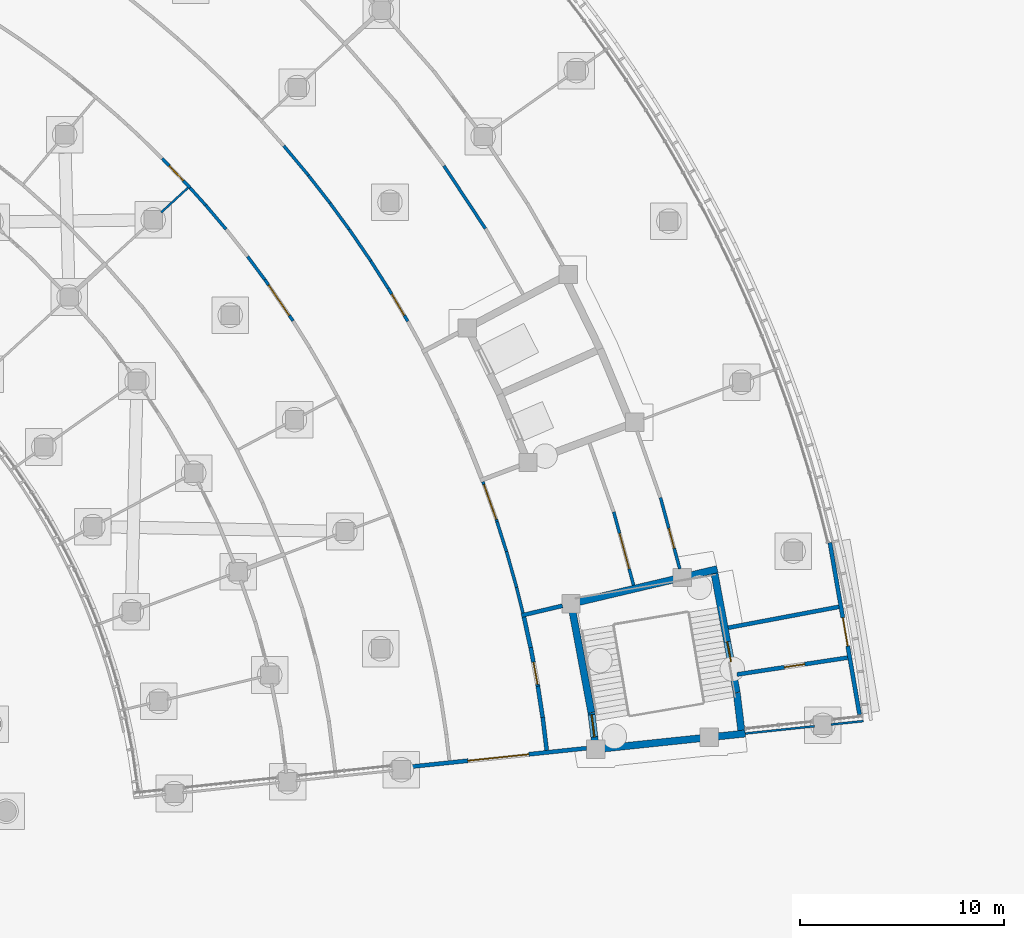
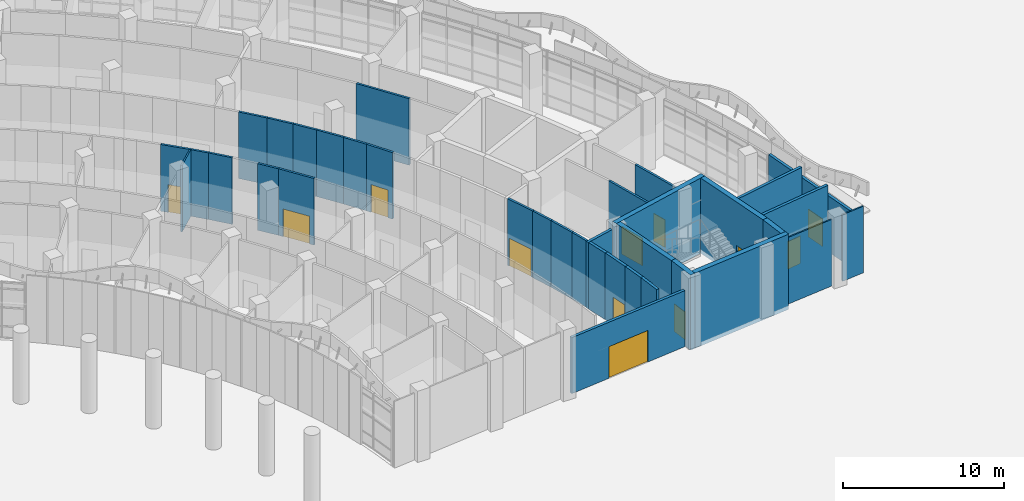
# One storey, part 77 of 146: 36 walls, 12 doors, 12 openings.
"""IFC4 building model written with IfcOpenShell, lengths in metres."""

from ifc_helpers import new_model, si_unit, direction, frame, frame_2d, origin, place, context, subcontext, project, spatial, rectangle, extrude, material, layer, layer_set, type_object, element, fill, save


model = new_model("IFC4")

# Units and contexts
model_context = context("Model", 3, precision=1e-05, world=origin(), true_north=direction((0.0, 1.0)))
body_context = subcontext(model_context, "Body", "Model", "MODEL_VIEW")
ifc_project = project(units=[si_unit("LENGTHUNIT", "METRE"), si_unit("AREAUNIT", "SQUARE_METRE"), si_unit("VOLUMEUNIT", "CUBIC_METRE"), si_unit("PLANEANGLEUNIT", "RADIAN"), si_unit("MASSUNIT", "GRAM", prefix="KILO")], contexts=[model_context])

# Site, building, storey
site_placement = place(None, origin())
site = spatial("IfcSite", under=ifc_project, at=site_placement, CompositionType="ELEMENT")
building_placement = place(site_placement, origin())
building = spatial("IfcBuilding", under=site, at=building_placement, Name="Bougainvillea Quay General Hospital", CompositionType="ELEMENT")
storey_placement = place(building_placement, origin())
storey = spatial("IfcBuildingStorey", under=building, at=storey_placement, Name="L00", CompositionType="ELEMENT", Elevation=0.0)

# Wall, opening, door
ifc_material_1 = material(Name="Insulated aluminium panel cladding, anodised silver", Category="aluminium")
ifc_layer_1 = layer(ifc_material_1, 0.199951171875)
ifc_layer_set_1 = layer_set([ifc_layer_1], Name="Insulated aluminium panel cladding, anodised silver")
wall_type_1 = type_object("IfcWallType", Name="Entrance portal wall 200", PredefinedType="STANDARD", material=ifc_layer_set_1)
wall_1_placement = place(storey_placement, frame((156.577880859375, 27.080078125, 0.0), z_axis=(0.0, 0.0, 1.0), x_axis=(0.994515443337, 0.10458983203, 0.0)))
wall_1 = element("IfcWall", 1, at=wall_1_placement, inside=storey, type_object=wall_type_1, Name="External wall cw/V6/L00/l2g2s0/portal3/00a", PredefinedType="STANDARD", context=body_context, shape_type="SweptSolid", body=[
    extrude(rectangle(XDim=8.69970703125, YDim=0.199951171875, at=frame_2d((4.349853515625, 0.0))), origin(), (0.0, 0.0, 1.0), 4.25),
])
opening_1_placement = place(wall_1_placement, frame((2.85009765625, 0.0, 0.0)))
opening_1 = element("IfcOpeningElement", 2, at=opening_1_placement, cuts=wall_1, Name="Opening L00.359", PredefinedType="OPENING", context=body_context, shape_type="SweptSolid", body=[
    extrude(rectangle(XDim=3.0, YDim=2.39990234375, at=frame_2d((1.5, 1.199951171875))), frame((0.0, 0.10986328125, 0.0), z_axis=(0.0, -1.0, 0.0), x_axis=(1.0, 0.0, 0.0)), (0.0, 0.0, 1.0), 0.219970703125),
])
ifc_material_2 = material(Name="Aluminium and toughened glass sliding door set, anodised", Category="aluminium")
door_type_1 = type_object("IfcDoorType", Name="Automatic sliding entrance door 3000x2400", OperationType="SLIDING_TO_LEFT", PredefinedType="DOOR", material=ifc_material_2)
door_1_placement = place(opening_1_placement, frame((3.0, 0.0, 0.0), z_axis=(0.0, 0.0, 1.0), x_axis=(-1.0, 0.0, 0.0)))
door_1 = element("IfcDoor", 3, at=door_1_placement, inside=storey, type_object=door_type_1, Name="Clinics entrance", OperationType="SINGLE_SWING_LEFT", OverallHeight=2.39990234375, OverallWidth=3.0, PredefinedType="DOOR", context=body_context, shape_type="SweptSolid", body=[
    extrude(rectangle(XDim=3.0, YDim=2.39990234375, at=frame_2d((1.5, 1.199951171875))), frame((0.0, 0.02490234375, 0.0), z_axis=(0.0, -1.0, 0.0), x_axis=(1.0, 0.0, 0.0)), (0.0, 0.0, 1.0), 0.050048828125),
])
fill(opening_1, door_1)

wall_2_placement = place(storey_placement, frame((177.174072265625, 38.08203125, 0.0), z_axis=(0.0, 0.0, 1.0), x_axis=(0.17017618712, -0.985413651893, 0.0)))
wall_2 = element("IfcWall", 4, at=wall_2_placement, inside=storey, type_object=wall_type_1, Name="External wall wall/V6/L00/p2g3b7/00a", PredefinedType="STANDARD", context=body_context, shape_type="SweptSolid", body=[
    extrude(rectangle(XDim=8.56201171875, YDim=0.199951171875, at=frame_2d((4.281005859375, 0.0))), origin(), (0.0, 0.0, 1.0), 4.25),
])
opening_2_placement = place(wall_2_placement, frame((3.7490234375, 0.0, 0.0)))
opening_2 = element("IfcOpeningElement", 5, at=opening_2_placement, cuts=wall_2, Name="Opening L00.350", PredefinedType="OPENING", context=body_context, shape_type="SweptSolid", body=[
    extrude(rectangle(XDim=1.39990234375, YDim=2.10009765625, at=frame_2d((0.699951171875, 1.050048828125))), frame((0.0, 0.10986328125, 0.0), z_axis=(0.0, -1.0, 0.0), x_axis=(1.0, 0.0, 0.0)), (0.0, 0.0, 1.0), 0.219970703125),
])
ifc_material_3 = material(Name="Steel door leaf, painted, with vision panel", Category="steel")
door_type_2 = type_object("IfcDoorType", Name="Stair discharge door 1400x2100", OperationType="SINGLE_SWING_LEFT", PredefinedType="DOOR", material=ifc_material_3)
door_2_placement = place(opening_2_placement, origin())
door_2 = element("IfcDoor", 6, at=door_2_placement, inside=storey, type_object=door_type_2, Name="Stair discharge door ST-E2", OperationType="SINGLE_SWING_LEFT", OverallHeight=2.10009765625, OverallWidth=1.39990234375, PredefinedType="DOOR", context=body_context, shape_type="SweptSolid", body=[
    extrude(rectangle(XDim=1.39990234375, YDim=2.10009765625, at=frame_2d((0.699951171875, 1.050048828125))), frame((0.0, 0.02490234375, 0.0), z_axis=(0.0, -1.0, 0.0), x_axis=(1.0, 0.0, 0.0)), (0.0, 0.0, 1.0), 0.050048828125),
])
fill(opening_2, door_2)

# Walls
ifc_material_4 = material(Name="Gypsum board partition on steel studs", Category="steel")
ifc_layer_2 = layer(ifc_material_4, 0.10009765625)
ifc_layer_set_2 = layer_set([ifc_layer_2], Name="Gypsum board partition on steel studs")
wall_type_2 = type_object("IfcWallType", Name="Partition 100 Gypsum board partition EI 30", PredefinedType="PARTITIONING", material=ifc_layer_set_2)
wall_3_placement = place(storey_placement, frame((173.02294921875, 28.71240234375, 0.0), z_axis=(0.0, 0.0, 1.0), x_axis=(0.994508975148, 0.104651317957, 0.0)))
element("IfcWall", 7, at=wall_3_placement, inside=storey, type_object=wall_type_2, Name="Partition 100 mm EI 30", PredefinedType="PARTITIONING", context=body_context, shape_type="SweptSolid", body=[
    extrude(rectangle(XDim=3.417724609375, YDim=0.10009765625, at=frame_2d((1.708984375, 0.0))), origin(), (0.0, 0.0, 1.0), 5.050048828125),
])
wall_4_placement = place(storey_placement, frame((177.232177734375, 29.1552734375, 0.0), z_axis=(0.0, 0.0, 1.0), x_axis=(0.994502932517, 0.104708725591, 0.0)))
element("IfcWall", 8, at=wall_4_placement, inside=storey, type_object=wall_type_2, Name="Partition 100 mm EI 30", PredefinedType="PARTITIONING", context=body_context, shape_type="SweptSolid", body=[
    extrude(rectangle(XDim=1.592529296875, YDim=0.10009765625, at=frame_2d((0.79638671875, 0.0))), origin(), (0.0, 0.0, 1.0), 5.050048828125),
])
wall_5_placement = place(storey_placement, frame((144.3603515625, 54.291015625, 0.0), z_axis=(0.0, 0.0, 1.0), x_axis=(0.736578706187, 0.676351838611, 0.0)))
element("IfcWall", 9, at=wall_5_placement, inside=storey, type_object=wall_type_2, Name="Partition 100 mm EI 30", PredefinedType="PARTITIONING", context=body_context, shape_type="SweptSolid", body=[
    extrude(rectangle(XDim=1.779541015625, YDim=0.10009765625, at=frame_2d((0.8896484375, 0.0))), origin(), (0.0, 0.0, 1.0), 5.050048828125),
])

# Wall, opening, door
ifc_material_5 = material(Name="Gypsum board partition on steel studs, insulated", Category="steel")
ifc_layer_3 = layer(ifc_material_5, 0.14990234375)
ifc_layer_set_3 = layer_set([ifc_layer_3], Name="Gypsum board partition on steel studs, insulated")
wall_type_3 = type_object("IfcWallType", Name="Partition 150 Gypsum board partition EI 30", PredefinedType="PARTITIONING", material=ifc_layer_set_3)
wall_6_placement = place(storey_placement, frame((168.8623046875, 40.287353515625, 0.0), z_axis=(0.0, 0.0, 1.0), x_axis=(0.261268938462, -0.965266047157, 0.0)))
wall_6 = element("IfcWall", 10, at=wall_6_placement, inside=storey, type_object=wall_type_3, Name="Partition 150 mm EI 30", PredefinedType="PARTITIONING", context=body_context, shape_type="SweptSolid", body=[
    extrude(rectangle(XDim=3.621826171875, YDim=0.14990234375, at=frame_2d((1.81103515625, 0.0))), origin(), (0.0, 0.0, 1.0), 5.050048828125),
])
opening_3_placement = place(wall_6_placement, frame((1.565673828125, 0.0, 0.0)))
opening_3 = element("IfcOpeningElement", 11, at=opening_3_placement, cuts=wall_6, Name="Opening L00.275", PredefinedType="OPENING", context=body_context, shape_type="SweptSolid", body=[
    extrude(rectangle(XDim=1.0, YDim=2.10009765625, at=frame_2d((0.5, 1.050048828125))), frame((0.0, 0.0849609375, 0.0), z_axis=(0.0, -1.0, 0.0), x_axis=(1.0, 0.0, 0.0)), (0.0, 0.0, 1.0), 0.169921875),
])
ifc_material_6 = material(Name="Solid-core timber door leaf in steel frame", Category="steel")
door_type_3 = type_object("IfcDoorType", Name="Single leaf door 1000x2100 FD30S", OperationType="NOTDEFINED", PredefinedType="DOOR", material=ifc_material_6)
door_3_placement = place(opening_3_placement, origin())
door_3 = element("IfcDoor", 12, at=door_3_placement, inside=storey, type_object=door_type_3, Name="DT15 L00.275", OperationType="SINGLE_SWING_RIGHT", OverallHeight=2.10009765625, OverallWidth=1.0, PredefinedType="DOOR", context=body_context, shape_type="SweptSolid", body=[
    extrude(rectangle(XDim=1.0, YDim=2.10009765625, at=frame_2d((0.5, 1.050048828125))), frame((0.0, 0.02490234375, 0.0), z_axis=(0.0, -1.0, 0.0), x_axis=(1.0, 0.0, 0.0)), (0.0, 0.0, 1.0), 0.050048828125),
])
fill(opening_3, door_3)

wall_7_placement = place(storey_placement, frame((166.5673828125, 39.58642578125, 0.0), z_axis=(0.0, 0.0, 1.0), x_axis=(0.261225938755, -0.965277684877, 0.0)))
wall_7 = element("IfcWall", 13, at=wall_7_placement, inside=storey, type_object=wall_type_3, Name="Partition 150 mm EI 30", PredefinedType="PARTITIONING", context=body_context, shape_type="SweptSolid", body=[
    extrude(rectangle(XDim=3.725341796875, YDim=0.14990234375, at=frame_2d((1.86279296875, 0.0))), origin(), (0.0, 0.0, 1.0), 5.050048828125),
])
opening_4_placement = place(wall_7_placement, frame((1.089111328125, 0.0, 0.0)))
opening_4 = element("IfcOpeningElement", 14, at=opening_4_placement, cuts=wall_7, Name="Opening L00.225", PredefinedType="OPENING", context=body_context, shape_type="SweptSolid", body=[
    extrude(rectangle(XDim=1.800048828125, YDim=2.10009765625, at=frame_2d((0.89990234375, 1.050048828125))), frame((0.0, 0.0849609375, 0.0), z_axis=(0.0, -1.0, 0.0), x_axis=(1.0, 0.0, 0.0)), (0.0, 0.0, 1.0), 0.169921875),
])
ifc_material_7 = material(Name="Solid-core timber door leaves in steel frame", Category="steel")
door_type_4 = type_object("IfcDoorType", Name="Double leaf door 1800x2100", OperationType="DOUBLE_DOOR_SINGLE_SWING", PredefinedType="DOOR", material=ifc_material_7)
door_4_placement = place(opening_4_placement, origin())
door_4 = element("IfcDoor", 15, at=door_4_placement, inside=storey, type_object=door_type_4, Name="DT08 L00.225", OperationType="DOUBLE_DOOR_SINGLE_SWING", OverallHeight=2.10009765625, OverallWidth=1.800048828125, PredefinedType="DOOR", context=body_context, shape_type="SweptSolid", body=[
    extrude(rectangle(XDim=1.800048828125, YDim=2.10009765625, at=frame_2d((0.89990234375, 1.050048828125))), frame((0.0, 0.02490234375, 0.0), z_axis=(0.0, -1.0, 0.0), x_axis=(1.0, 0.0, 0.0)), (0.0, 0.0, 1.0), 0.050048828125),
])
fill(opening_4, door_4)

# Wall
wall_8_placement = place(storey_placement, frame((158.23583984375, 56.5712890625, 0.0), z_axis=(0.0, 0.0, 1.0), x_axis=(0.550996276136, -0.834507701393, 0.0)))
element("IfcWall", 16, at=wall_8_placement, inside=storey, type_object=wall_type_3, Name="Partition 150 mm EI 30", PredefinedType="PARTITIONING", context=body_context, shape_type="SweptSolid", body=[
    extrude(rectangle(XDim=3.6865234375, YDim=0.14990234375, at=frame_2d((1.84326171875, 0.0))), origin(), (0.0, 0.0, 1.0), 5.050048828125),
])

# Wall, opening, door
wall_9_placement = place(storey_placement, frame((149.442626953125, 50.989990234375, 0.0), z_axis=(0.0, 0.0, 1.0), x_axis=(0.564305795339, -0.825565847977, 0.0)))
wall_9 = element("IfcWall", 17, at=wall_9_placement, inside=storey, type_object=wall_type_3, Name="Partition 150 mm EI 30", PredefinedType="PARTITIONING", context=body_context, shape_type="SweptSolid", body=[
    extrude(rectangle(XDim=2.453857421875, YDim=0.14990234375, at=frame_2d((1.22705078125, 0.0))), origin(), (0.0, 0.0, 1.0), 5.050048828125),
])
opening_5_placement = place(wall_9_placement, frame((0.326904296875, 0.0, 0.0)))
opening_5 = element("IfcOpeningElement", 18, at=opening_5_placement, cuts=wall_9, Name="Opening L00.241", PredefinedType="OPENING", context=body_context, shape_type="SweptSolid", body=[
    extrude(rectangle(XDim=1.800048828125, YDim=2.10009765625, at=frame_2d((0.89990234375, 1.050048828125))), frame((0.0, 0.0849609375, 0.0), z_axis=(0.0, -1.0, 0.0), x_axis=(1.0, 0.0, 0.0)), (0.0, 0.0, 1.0), 0.169921875),
])
door_5_placement = place(opening_5_placement, origin())
door_5 = element("IfcDoor", 19, at=door_5_placement, inside=storey, type_object=door_type_4, Name="DT08 L00.241", OperationType="DOUBLE_DOOR_SINGLE_SWING", OverallHeight=2.10009765625, OverallWidth=1.800048828125, PredefinedType="DOOR", context=body_context, shape_type="SweptSolid", body=[
    extrude(rectangle(XDim=1.800048828125, YDim=2.10009765625, at=frame_2d((0.89990234375, 1.050048828125))), frame((0.0, 0.02490234375, 0.0), z_axis=(0.0, -1.0, 0.0), x_axis=(1.0, 0.0, 0.0)), (0.0, 0.0, 1.0), 0.050048828125),
])
fill(opening_5, door_5)

wall_10_placement = place(storey_placement, frame((160.146240234375, 41.068115234375, 0.0), z_axis=(0.0, 0.0, 1.0), x_axis=(0.334170983673, -0.942512468708, 0.0)))
wall_10 = element("IfcWall", 20, at=wall_10_placement, inside=storey, type_object=wall_type_3, Name="Partition 150 mm EI 30", PredefinedType="PARTITIONING", context=body_context, shape_type="SweptSolid", body=[
    extrude(rectangle(XDim=2.079345703125, YDim=0.14990234375, at=frame_2d((1.03955078125, 0.0))), origin(), (0.0, 0.0, 1.0), 5.050048828125),
])
opening_6_placement = place(wall_10_placement, frame((0.15087890625, 0.0, 0.0)))
opening_6 = element("IfcOpeningElement", 21, at=opening_6_placement, cuts=wall_10, Name="Opening L00.239", PredefinedType="OPENING", context=body_context, shape_type="SweptSolid", body=[
    extrude(rectangle(XDim=1.800048828125, YDim=2.10009765625, at=frame_2d((0.89990234375, 1.050048828125))), frame((0.0, 0.0849609375, 0.0), z_axis=(0.0, -1.0, 0.0), x_axis=(1.0, 0.0, 0.0)), (0.0, 0.0, 1.0), 0.169921875),
])
door_6_placement = place(opening_6_placement, frame((1.800048828125, 0.0, 0.0), z_axis=(0.0, 0.0, 1.0), x_axis=(-1.0, 0.0, 0.0)))
door_6 = element("IfcDoor", 22, at=door_6_placement, inside=storey, type_object=door_type_4, Name="DT08 L00.239", OperationType="DOUBLE_DOOR_SINGLE_SWING", OverallHeight=2.10009765625, OverallWidth=1.800048828125, PredefinedType="DOOR", context=body_context, shape_type="SweptSolid", body=[
    extrude(rectangle(XDim=1.800048828125, YDim=2.10009765625, at=frame_2d((0.89990234375, 1.050048828125))), frame((0.0, 0.02490234375, 0.0), z_axis=(0.0, -1.0, 0.0), x_axis=(1.0, 0.0, 0.0)), (0.0, 0.0, 1.0), 0.050048828125),
])
fill(opening_6, door_6)

wall_11_placement = place(storey_placement, frame((144.408203125, 56.933349609375, 0.0), z_axis=(0.0, 0.0, 1.0), x_axis=(0.689023586461, -0.724738916646, 0.0)))
wall_11 = element("IfcWall", 23, at=wall_11_placement, inside=storey, type_object=wall_type_3, Name="Partition 150 mm EI 30", PredefinedType="PARTITIONING", context=body_context, shape_type="SweptSolid", body=[
    extrude(rectangle(XDim=1.9892578125, YDim=0.14990234375, at=frame_2d((0.99462890625, 0.0))), origin(), (0.0, 0.0, 1.0), 5.050048828125),
])
opening_7_placement = place(wall_11_placement, frame((0.494384765625, 0.0, 0.0)))
opening_7 = element("IfcOpeningElement", 24, at=opening_7_placement, cuts=wall_11, Name="Opening L00.276", PredefinedType="OPENING", context=body_context, shape_type="SweptSolid", body=[
    extrude(rectangle(XDim=1.0, YDim=2.10009765625, at=frame_2d((0.5, 1.050048828125))), frame((0.0, 0.0849609375, 0.0), z_axis=(0.0, -1.0, 0.0), x_axis=(1.0, 0.0, 0.0)), (0.0, 0.0, 1.0), 0.169921875),
])
door_7_placement = place(opening_7_placement, frame((1.0, 0.0, 0.0), z_axis=(0.0, 0.0, 1.0), x_axis=(-1.0, 0.0, 0.0)))
door_7 = element("IfcDoor", 25, at=door_7_placement, inside=storey, type_object=door_type_3, Name="DT15 L00.276", OperationType="SINGLE_SWING_LEFT", OverallHeight=2.10009765625, OverallWidth=1.0, PredefinedType="DOOR", context=body_context, shape_type="SweptSolid", body=[
    extrude(rectangle(XDim=1.0, YDim=2.10009765625, at=frame_2d((0.5, 1.050048828125))), frame((0.0, 0.02490234375, 0.0), z_axis=(0.0, -1.0, 0.0), x_axis=(1.0, 0.0, 0.0)), (0.0, 0.0, 1.0), 0.050048828125),
])
fill(opening_7, door_7)

wall_12_placement = place(storey_placement, frame((155.497802734375, 50.56640625, 0.0), z_axis=(0.0, 0.0, 1.0), x_axis=(0.510320389621, -0.859984360287, 0.0)))
wall_12 = element("IfcWall", 26, at=wall_12_placement, inside=storey, type_object=wall_type_3, Name="Partition 150 mm EI 30", PredefinedType="PARTITIONING", context=body_context, shape_type="SweptSolid", body=[
    extrude(rectangle(XDim=1.885986328125, YDim=0.14990234375, at=frame_2d((0.94287109375, 0.0))), origin(), (0.0, 0.0, 1.0), 5.050048828125),
])
opening_8_placement = place(wall_12_placement, frame((0.343017578125, 0.0, 0.0)))
opening_8 = element("IfcOpeningElement", 27, at=opening_8_placement, cuts=wall_12, Name="Opening L00.238", PredefinedType="OPENING", context=body_context, shape_type="SweptSolid", body=[
    extrude(rectangle(XDim=1.199951171875, YDim=2.10009765625, at=frame_2d((0.60009765625, 1.050048828125))), frame((0.0, 0.0849609375, 0.0), z_axis=(0.0, -1.0, 0.0), x_axis=(1.0, 0.0, 0.0)), (0.0, 0.0, 1.0), 0.169921875),
])
door_type_5 = type_object("IfcDoorType", Name="Single leaf door 1200x2100", OperationType="NOTDEFINED", PredefinedType="DOOR", material=ifc_material_6)
door_8_placement = place(opening_8_placement, frame((1.199951171875, 0.0, 0.0), z_axis=(0.0, 0.0, 1.0), x_axis=(-1.0, 0.0, 0.0)))
door_8 = element("IfcDoor", 28, at=door_8_placement, inside=storey, type_object=door_type_5, Name="DT13 L00.238", OperationType="SINGLE_SWING_RIGHT", OverallHeight=2.10009765625, OverallWidth=1.199951171875, PredefinedType="DOOR", context=body_context, shape_type="SweptSolid", body=[
    extrude(rectangle(XDim=1.199951171875, YDim=2.10009765625, at=frame_2d((0.60009765625, 1.050048828125))), frame((0.0, 0.02490234375, 0.0), z_axis=(0.0, -1.0, 0.0), x_axis=(1.0, 0.0, 0.0)), (0.0, 0.0, 1.0), 0.050048828125),
])
fill(opening_8, door_8)

# Walls
wall_13_placement = place(storey_placement, frame((150.3720703125, 57.5576171875, 0.0), z_axis=(0.0, 0.0, 1.0), x_axis=(0.640540861144, -0.767924088178, 0.0)))
element("IfcWall", 29, at=wall_13_placement, inside=storey, type_object=wall_type_3, Name="Partition 150 mm EI 30", PredefinedType="PARTITIONING", context=body_context, shape_type="SweptSolid", body=[
    extrude(rectangle(XDim=1.885986328125, YDim=0.14990234375, at=frame_2d((0.94287109375, 0.0))), origin(), (0.0, 0.0, 1.0), 5.050048828125),
])
wall_14_placement = place(storey_placement, frame((151.57666015625, 56.109619140625, 0.0), z_axis=(0.0, 0.0, 1.0), x_axis=(0.615485903982, -0.788147893481, 0.0)))
element("IfcWall", 30, at=wall_14_placement, inside=storey, type_object=wall_type_3, Name="Partition 150 mm EI 30", PredefinedType="PARTITIONING", context=body_context, shape_type="SweptSolid", body=[
    extrude(rectangle(XDim=1.73779296875, YDim=0.14990234375, at=frame_2d((0.868896484375, 0.0))), origin(), (0.0, 0.0, 1.0), 5.050048828125),
])
wall_15_placement = place(storey_placement, frame((153.581787109375, 53.4599609375, 0.0), z_axis=(0.0, 0.0, 1.0), x_axis=(0.564047793024, -0.825742143277, 0.0)))
element("IfcWall", 31, at=wall_15_placement, inside=storey, type_object=wall_type_3, Name="Partition 150 mm EI 30", PredefinedType="PARTITIONING", context=body_context, shape_type="SweptSolid", body=[
    extrude(rectangle(XDim=1.885498046875, YDim=0.14990234375, at=frame_2d((0.94287109375, 0.0))), origin(), (0.0, 0.0, 1.0), 5.050048828125),
])
for number, where, z_axis, x_axis, name in (
    (32, (152.642822265625, 54.740234375, 0.0), (0.0, 0.0, 1.0), (0.590151339463, -0.807292633764, 0.0), "Partition 150 mm EI 30"),
    (33, (154.64208984375, 51.90380859375, 0.0), (0.0, 0.0, 1.0), (0.537610565613, -0.843193263577, 0.0), "Partition 150 mm EI 30"),
):
    element("IfcWall", number, at=place(storey_placement, frame(where, z_axis=z_axis, x_axis=x_axis)), inside=storey, type_object=wall_type_3, Name=name, PredefinedType="PARTITIONING", context=body_context, shape_type="SweptSolid", body=[
        extrude(rectangle(XDim=1.58984375, YDim=0.14990234375, at=frame_2d((0.794921875, 0.0))), origin(), (0.0, 0.0, 1.0), 5.050048828125),
    ])
wall_16_placement = place(storey_placement, frame((161.302490234375, 37.647216796875, 0.0), z_axis=(0.0, 0.0, 1.0), x_axis=(0.271536076628, -0.962428261789, 0.0)))
element("IfcWall", 34, at=wall_16_placement, inside=storey, type_object=wall_type_3, Name="Partition 150 mm EI 30", PredefinedType="PARTITIONING", context=body_context, shape_type="SweptSolid", body=[
    extrude(rectangle(XDim=1.833251953125, YDim=0.14990234375, at=frame_2d((0.91650390625, 0.0))), origin(), (0.0, 0.0, 1.0), 5.050048828125),
])
wall_17_placement = place(storey_placement, frame((160.837890625, 39.10986328125, 0.0), z_axis=(0.0, 0.0, 1.0), x_axis=(0.301321411033, -0.953522630698, 0.0)))
element("IfcWall", 35, at=wall_17_placement, inside=storey, type_object=wall_type_3, Name="Partition 150 mm EI 30", PredefinedType="PARTITIONING", context=body_context, shape_type="SweptSolid", body=[
    extrude(rectangle(XDim=1.537109375, YDim=0.14990234375, at=frame_2d((0.7685546875, 0.0))), origin(), (0.0, 0.0, 1.0), 5.050048828125),
])
wall_18_placement = place(storey_placement, frame((148.599365234375, 52.12158203125, 0.0), z_axis=(0.0, 0.0, 1.0), x_axis=(0.595875663086, -0.803076705017, 0.0)))
element("IfcWall", 36, at=wall_18_placement, inside=storey, type_object=wall_type_3, Name="Partition 150 mm EI 30", PredefinedType="PARTITIONING", context=body_context, shape_type="SweptSolid", body=[
    extrude(rectangle(XDim=1.413818359375, YDim=0.14990234375, at=frame_2d((0.70703125, 0.0))), origin(), (0.0, 0.0, 1.0), 5.050048828125),
])
wall_19_placement = place(storey_placement, frame((146.53369140625, 54.6513671875, 0.0), z_axis=(0.0, 0.0, 1.0), x_axis=(0.645184874707, -0.764026490018, 0.0)))
element("IfcWall", 37, at=wall_19_placement, inside=storey, type_object=wall_type_3, Name="Partition 150 mm EI 30", PredefinedType="PARTITIONING", context=body_context, shape_type="SweptSolid", body=[
    extrude(rectangle(XDim=1.561279296875, YDim=0.14990234375, at=frame_2d((0.78076171875, 0.0))), origin(), (0.0, 0.0, 1.0), 5.050048828125),
])
wall_20_placement = place(storey_placement, frame((161.797607421875, 35.88427734375, 0.0), z_axis=(0.0, 0.0, 1.0), x_axis=(0.243023571224, -0.970020383203, 0.0)))
element("IfcWall", 38, at=wall_20_placement, inside=storey, type_object=wall_type_3, Name="Partition 150 mm EI 30", PredefinedType="PARTITIONING", context=body_context, shape_type="SweptSolid", body=[
    extrude(rectangle(XDim=1.294921875, YDim=0.14990234375, at=frame_2d((0.6474609375, 0.0))), origin(), (0.0, 0.0, 1.0), 5.050048828125),
])
wall_21_placement = place(storey_placement, frame((145.775634765625, 55.49169921875, 0.0), z_axis=(0.0, 0.0, 1.0), x_axis=(0.668310227337, -0.743882678946, 0.0)))
element("IfcWall", 39, at=wall_21_placement, inside=storey, type_object=wall_type_3, Name="Partition 150 mm EI 30", PredefinedType="PARTITIONING", context=body_context, shape_type="SweptSolid", body=[
    extrude(rectangle(XDim=1.134033203125, YDim=0.14990234375, at=frame_2d((0.56689453125, 0.0))), origin(), (0.0, 0.0, 1.0), 5.050048828125),
])

# Wall, opening, door
ifc_material_8 = material(Name="Fire-rated autoclaved aerated block wall, plastered")
ifc_layer_4 = layer(ifc_material_8, 0.199951171875)
ifc_layer_set_4 = layer_set([ifc_layer_4], Name="Fire-rated autoclaved aerated block wall, plastered")
wall_type_4 = type_object("IfcWallType", Name="Partition 200 Fire-rated autoclaved aerated block wall EI 120", PredefinedType="SOLIDWALL", material=ifc_layer_set_4)
wall_22_placement = place(storey_placement, frame((172.6181640625, 31.611328125, 0.0), z_axis=(0.0, 0.0, 1.0), x_axis=(0.988678146595, 0.150051732563, 0.0)))
wall_22 = element("IfcWall", 40, at=wall_22_placement, inside=storey, type_object=wall_type_4, Name="Partition 200 mm EI 120", PredefinedType="SOLIDWALL", context=body_context, shape_type="SweptSolid", body=[
    extrude(rectangle(XDim=5.48974609375, YDim=0.199951171875, at=frame_2d((2.744873046875, 0.0))), origin(), (0.0, 0.0, 1.0), 5.050048828125),
])
opening_9_placement = place(wall_22_placement, frame((2.35302734375, 0.0, 0.0)))
opening_9 = element("IfcOpeningElement", 41, at=opening_9_placement, cuts=wall_22, Name="Opening L00.248", PredefinedType="OPENING", context=body_context, shape_type="SweptSolid", body=[
    extrude(rectangle(XDim=1.0, YDim=2.10009765625, at=frame_2d((0.5, 1.050048828125))), frame((0.0, 0.10986328125, 0.0), z_axis=(0.0, -1.0, 0.0), x_axis=(1.0, 0.0, 0.0)), (0.0, 0.0, 1.0), 0.219970703125),
])
door_type_6 = type_object("IfcDoorType", Name="Single leaf door 1000x2100 FD60", OperationType="NOTDEFINED", PredefinedType="DOOR", material=ifc_material_6)
door_9_placement = place(opening_9_placement, origin())
door_9 = element("IfcDoor", 42, at=door_9_placement, inside=storey, type_object=door_type_6, Name="DT14 L00.248", OperationType="SINGLE_SWING_RIGHT", OverallHeight=2.10009765625, OverallWidth=1.0, PredefinedType="DOOR", context=body_context, shape_type="SweptSolid", body=[
    extrude(rectangle(XDim=1.0, YDim=2.10009765625, at=frame_2d((0.5, 1.050048828125))), frame((0.0, 0.02490234375, 0.0), z_axis=(0.0, -1.0, 0.0), x_axis=(1.0, 0.0, 0.0)), (0.0, 0.0, 1.0), 0.050048828125),
])
fill(opening_9, door_9)

# Walls
wall_23_placement = place(storey_placement, frame((162.039794921875, 34.506103515625, 0.0), z_axis=(0.0, 0.0, 1.0), x_axis=(0.973117236519, 0.230310321066, 0.0)))
element("IfcWall", 43, at=wall_23_placement, inside=storey, type_object=wall_type_4, Name="Partition 200 mm EI 120", PredefinedType="SOLIDWALL", context=body_context, shape_type="SweptSolid", body=[
    extrude(rectangle(XDim=2.06591796875, YDim=0.199951171875, at=frame_2d((1.032958984375, 0.0))), origin(), (0.0, 0.0, 1.0), 5.050048828125),
])
wall_24_placement = place(storey_placement, frame((163.0810546875, 29.51220703125, 0.0), z_axis=(0.0, 0.0, 1.0), x_axis=(0.120326914639, -0.992734321767, 0.0)))
element("IfcWall", 44, at=wall_24_placement, inside=storey, type_object=wall_type_4, Name="Partition 200 mm EI 120", PredefinedType="SOLIDWALL", context=body_context, shape_type="SweptSolid", body=[
    extrude(rectangle(XDim=1.637451171875, YDim=0.199951171875, at=frame_2d((0.81884765625, 0.0))), origin(), (0.0, 0.0, 1.0), 5.050048828125),
])

# Wall, opening, door
wall_25_placement = place(storey_placement, frame((162.49169921875, 32.932373046875, 0.0), z_axis=(0.0, 0.0, 1.0), x_axis=(0.183778259652, -0.982967726469, 0.0)))
wall_25 = element("IfcWall", 45, at=wall_25_placement, inside=storey, type_object=wall_type_4, Name="Partition 200 mm EI 120", PredefinedType="SOLIDWALL", context=body_context, shape_type="SweptSolid", body=[
    extrude(rectangle(XDim=1.935546875, YDim=0.199951171875, at=frame_2d((0.9677734375, 0.0))), origin(), (0.0, 0.0, 1.0), 5.050048828125),
])
opening_10_placement = place(wall_25_placement, frame((0.735595703125, 0.0, 0.0)))
opening_10 = element("IfcOpeningElement", 46, at=opening_10_placement, cuts=wall_25, Name="Opening L00.307", PredefinedType="OPENING", context=body_context, shape_type="SweptSolid", body=[
    extrude(rectangle(XDim=1.10009765625, YDim=2.10009765625, at=frame_2d((0.550048828125, 1.050048828125))), frame((0.0, 0.10986328125, 0.0), z_axis=(0.0, -1.0, 0.0), x_axis=(1.0, 0.0, 0.0)), (0.0, 0.0, 1.0), 0.219970703125),
])
ifc_material_9 = material(Name="Steel fire door leaf in steel frame", Category="steel")
door_type_7 = type_object("IfcDoorType", Name="Steel single leaf door 1100x2100 FD60", OperationType="NOTDEFINED", PredefinedType="DOOR", material=ifc_material_9)
door_10_placement = place(opening_10_placement, origin())
door_10 = element("IfcDoor", 47, at=door_10_placement, inside=storey, type_object=door_type_7, Name="DT04 L00.307", OperationType="SINGLE_SWING_RIGHT", OverallHeight=2.10009765625, OverallWidth=1.10009765625, PredefinedType="DOOR", context=body_context, shape_type="SweptSolid", body=[
    extrude(rectangle(XDim=1.10009765625, YDim=2.10009765625, at=frame_2d((0.550048828125, 1.050048828125))), frame((0.0, 0.02490234375, 0.0), z_axis=(0.0, -1.0, 0.0), x_axis=(1.0, 0.0, 0.0)), (0.0, 0.0, 1.0), 0.050048828125),
])
fill(opening_10, door_10)

# Walls
wall_26_placement = place(storey_placement, frame((162.15869140625, 34.4296875, 0.0), z_axis=(0.0, 0.0, 1.0), x_axis=(0.215079958229, -0.976596442533, 0.0)))
element("IfcWall", 48, at=wall_26_placement, inside=storey, type_object=wall_type_4, Name="Partition 200 mm EI 120", PredefinedType="SOLIDWALL", context=body_context, shape_type="SweptSolid", body=[
    extrude(rectangle(XDim=1.536865234375, YDim=0.199951171875, at=frame_2d((0.7685546875, 0.0))), origin(), (0.0, 0.0, 1.0), 5.050048828125),
])
wall_27_placement = place(storey_placement, frame((162.84375, 31.0322265625, 0.0), z_axis=(0.0, 0.0, 1.0), x_axis=(0.152211909299, -0.9883478814, 0.0)))
element("IfcWall", 49, at=wall_27_placement, inside=storey, type_object=wall_type_4, Name="Partition 200 mm EI 120", PredefinedType="SOLIDWALL", context=body_context, shape_type="SweptSolid", body=[
    extrude(rectangle(XDim=1.54150390625, YDim=0.199951171875, at=frame_2d((0.770751953125, 0.0))), origin(), (0.0, 0.0, 1.0), 5.050048828125),
])
ifc_layer_5 = layer(ifc_material_8, 0.199951171875)
ifc_layer_set_5 = layer_set([ifc_layer_5], Name="Fire-rated autoclaved aerated block wall, plastered")
wall_type_5 = type_object("IfcWallType", Name="Partition 200 Fire-rated autoclaved aerated block wall EI 30", PredefinedType="SOLIDWALL", material=ifc_layer_set_5)
wall_28_placement = place(storey_placement, frame((172.18701171875, 33.90380859375, 0.0), z_axis=(0.0, 0.0, 1.0), x_axis=(0.982623653884, 0.185609145325, 0.0)))
element("IfcWall", 50, at=wall_28_placement, inside=storey, type_object=wall_type_5, Name="Partition 200 mm EI 30", PredefinedType="SOLIDWALL", context=body_context, shape_type="SweptSolid", body=[
    extrude(rectangle(XDim=5.5244140625, YDim=0.199951171875, at=frame_2d((2.76220703125, 0.0))), origin(), (0.0, 0.0, 1.0), 5.050048828125),
])
ifc_material_10 = material(Name="Concrete C40", Category="concrete")
ifc_layer_6 = layer(ifc_material_10, 0.35009765625)
ifc_layer_set_6 = layer_set([ifc_layer_6], Name="Concrete C40")
wall_type_6 = type_object("IfcWallType", Name="RC SHEAR WALL 350 C40", PredefinedType="SHEAR", material=ifc_layer_set_6)
wall_29_placement = place(storey_placement, frame((164.302734375, 35.041748046875, -0.300048828125), z_axis=(0.0, 0.0, 1.0), x_axis=(0.973093454504, 0.230410782737, 0.0)))
element("IfcWall", 51, at=wall_29_placement, inside=storey, type_object=wall_type_6, Name="Shear wall L00", PredefinedType="SHEAR", context=body_context, shape_type="SweptSolid", body=[
    extrude(rectangle(XDim=7.549560546875, YDim=0.35009765625, at=frame_2d((3.77490234375, 0.0))), origin(), (0.0, 0.0, 1.0), 5.699951171875),
])

# Wall, opening, door
wall_30_placement = place(storey_placement, frame((165.470703125, 29.734375, -0.300048828125), z_axis=(0.0, 0.0, 1.0), x_axis=(0.12025777275, -0.992742699844, 0.0)))
wall_30 = element("IfcWall", 52, at=wall_30_placement, inside=storey, type_object=wall_type_6, Name="Shear wall L00", PredefinedType="SHEAR", context=body_context, shape_type="SweptSolid", body=[
    extrude(rectangle(XDim=1.9814453125, YDim=0.35009765625, at=frame_2d((0.99072265625, 0.0))), origin(), (0.0, 0.0, 1.0), 5.699951171875),
])
opening_11_placement = place(wall_30_placement, frame((0.10009765625, 0.0, 0.300048828125)))
opening_11 = element("IfcOpeningElement", 53, at=opening_11_placement, cuts=wall_30, Name="Opening L00.306", PredefinedType="OPENING", context=body_context, shape_type="SweptSolid", body=[
    extrude(rectangle(XDim=1.10009765625, YDim=2.10009765625, at=frame_2d((0.550048828125, 1.050048828125))), frame((0.0, 0.18505859375, 0.0), z_axis=(0.0, -1.0, 0.0), x_axis=(1.0, 0.0, 0.0)), (0.0, 0.0, 1.0), 0.3701171875),
])
door_11_placement = place(opening_11_placement, origin())
door_11 = element("IfcDoor", 54, at=door_11_placement, inside=storey, type_object=door_type_7, Name="DT04 L00.306", OperationType="SINGLE_SWING_LEFT", OverallHeight=2.10009765625, OverallWidth=1.10009765625, PredefinedType="DOOR", context=body_context, shape_type="SweptSolid", body=[
    extrude(rectangle(XDim=1.10009765625, YDim=2.10009765625, at=frame_2d((0.550048828125, 1.050048828125))), frame((0.0, 0.02490234375, 0.0), z_axis=(0.0, -1.0, 0.0), x_axis=(1.0, 0.0, 0.0)), (0.0, 0.0, 1.0), 0.050048828125),
])
fill(opening_11, door_11)

# Walls
wall_31_placement = place(storey_placement, frame((165.468994140625, 29.74560546875, -0.300048828125), z_axis=(0.0, 0.0, 1.0), x_axis=(-0.183471964923, 0.98302494276, 0.0)))
element("IfcWall", 55, at=wall_31_placement, inside=storey, type_object=wall_type_6, Name="Shear wall L00", PredefinedType="SHEAR", context=body_context, shape_type="SweptSolid", body=[
    extrude(rectangle(XDim=5.25341796875, YDim=0.35009765625, at=frame_2d((2.626708984375, 0.0))), origin(), (0.0, 0.0, 1.0), 5.699951171875),
])
wall_32_placement = place(storey_placement, frame((165.862060546875, 27.959228515625, -0.300048828125), z_axis=(0.0, 0.0, 1.0), x_axis=(0.99451418157, 0.104601829128, 0.0)))
element("IfcWall", 56, at=wall_32_placement, inside=storey, type_object=wall_type_6, Name="Shear wall L00", PredefinedType="SHEAR", context=body_context, shape_type="SweptSolid", body=[
    extrude(rectangle(XDim=7.200439453125, YDim=0.35009765625, at=frame_2d((3.60009765625, 0.0))), origin(), (0.0, 0.0, 1.0), 5.699951171875),
])
wall_33_placement = place(storey_placement, frame((172.603759765625, 30.715576171875, -0.300048828125), z_axis=(0.0, 0.0, 1.0), x_axis=(0.120401871373, -0.992725233572, 0.0)))
element("IfcWall", 57, at=wall_33_placement, inside=storey, type_object=wall_type_6, Name="Shear wall L00", PredefinedType="SHEAR", context=body_context, shape_type="SweptSolid", body=[
    extrude(rectangle(XDim=1.861328125, YDim=0.35009765625, at=frame_2d((0.9306640625, 0.0))), origin(), (0.0, 0.0, 1.0), 5.699951171875),
])

# Wall, opening, door
wall_34_placement = place(storey_placement, frame((172.60205078125, 30.7265625, -0.300048828125), z_axis=(0.0, 0.0, 1.0), x_axis=(-0.18353204361, 0.983013727762, 0.0)))
wall_34 = element("IfcWall", 58, at=wall_34_placement, inside=storey, type_object=wall_type_6, Name="Shear wall L00", PredefinedType="SHEAR", context=body_context, shape_type="SweptSolid", body=[
    extrude(rectangle(XDim=5.943603515625, YDim=0.35009765625, at=frame_2d((2.9716796875, 0.0))), origin(), (0.0, 0.0, 1.0), 5.699951171875),
])
opening_12_placement = place(wall_34_placement, frame((1.534912109375, 0.0, 0.300048828125)))
opening_12 = element("IfcOpeningElement", 59, at=opening_12_placement, cuts=wall_34, Name="Opening L00.246", PredefinedType="OPENING", context=body_context, shape_type="SweptSolid", body=[
    extrude(rectangle(XDim=1.0, YDim=2.10009765625, at=frame_2d((0.5, 1.050048828125))), frame((0.0, 0.18505859375, 0.0), z_axis=(0.0, -1.0, 0.0), x_axis=(1.0, 0.0, 0.0)), (0.0, 0.0, 1.0), 0.3701171875),
])
door_type_8 = type_object("IfcDoorType", Name="Steel single leaf door 1000x2100 FD60", OperationType="NOTDEFINED", PredefinedType="DOOR", material=ifc_material_9)
door_12_placement = place(opening_12_placement, frame((1.0, 0.0, 0.0), z_axis=(0.0, 0.0, 1.0), x_axis=(-1.0, 0.0, 0.0)))
door_12 = element("IfcDoor", 60, at=door_12_placement, inside=storey, type_object=door_type_8, Name="DT10 L00.246", OperationType="SINGLE_SWING_RIGHT", OverallHeight=2.10009765625, OverallWidth=1.0, PredefinedType="DOOR", context=body_context, shape_type="SweptSolid", body=[
    extrude(rectangle(XDim=1.0, YDim=2.10009765625, at=frame_2d((0.5, 1.050048828125))), frame((0.0, 0.02490234375, 0.0), z_axis=(0.0, -1.0, 0.0), x_axis=(1.0, 0.0, 0.0)), (0.0, 0.0, 1.0), 0.050048828125),
])
fill(opening_12, door_12)

save(model, "model.ifc")
